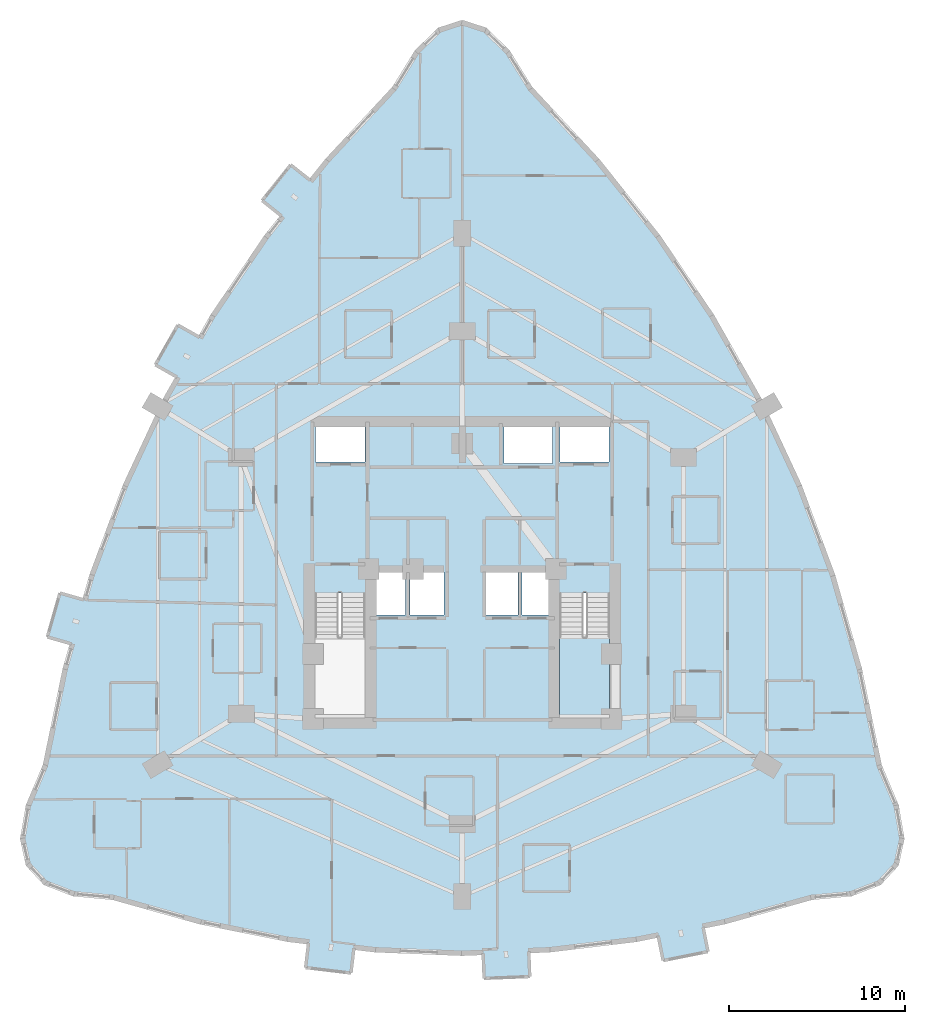
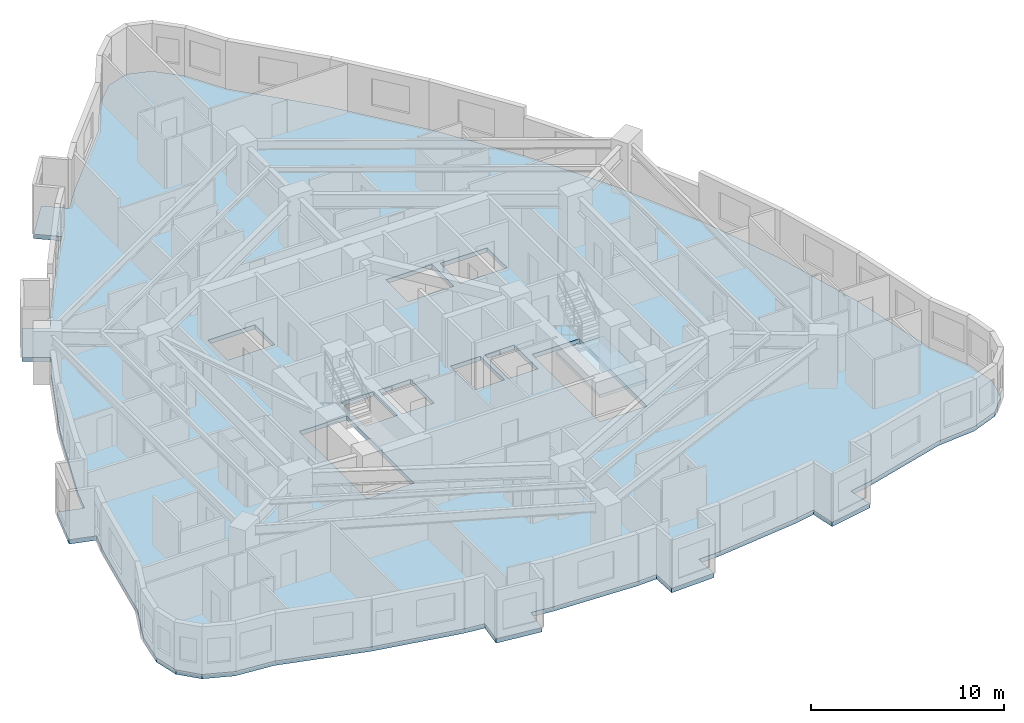
# One storey, part 5 of 15: 2 slabs, 1 element without a shape of its own.
"""IFC4 building model written with IfcOpenShell, lengths in metres."""

import ifcopenshell
import ifcopenshell.guid

model = None  # the IFC model being written
_history = None  # IfcOwnerHistory: only IFC2X3 demands one
_inside = {}  # id of a spatial element -> (the spatial element, [elements in it])
_under = {}  # id of a project, library or spatial element -> (it, [spatial elements below it])
_declared = {}  # id of a project -> (the project, [libraries it declares])
_typed = {}  # id of a type object -> (the type object, [elements of that type])
_made_of = {}  # id of a material, layer set ... -> (it, [elements and type objects made of it])


def new_model(schema):
    """Start an empty IFC model of exactly this schema.

    Asked for "IFC4X3", IfcOpenShell would pick the latest addendum, in which some entities
    have other attributes; the version numbers below select the first issue.
    IFC2X3 requires an IfcOwnerHistory on every rooted entity: one is made here for all.
    """
    global model, _history
    if schema == "IFC4X3":
        model = ifcopenshell.file(schema_version=(4, 3, 0, 0))
    else:
        model = ifcopenshell.file(schema=schema)
    _inside.clear()
    _under.clear()
    _declared.clear()
    _typed.clear()
    _made_of.clear()
    _history = None
    if model.schema == "IFC2X3":
        org = make("IfcOrganization", Name="unknown")
        user = make(
            "IfcPersonAndOrganization",
            ThePerson=make("IfcPerson", FamilyName="unknown"),
            TheOrganization=org,
        )
        app = make(
            "IfcApplication",
            ApplicationDeveloper=org,
            Version="unknown",
            ApplicationFullName="unknown",
            ApplicationIdentifier="unknown",
        )
        _history = make(
            "IfcOwnerHistory",
            OwningUser=user,
            OwningApplication=app,
            ChangeAction="ADDED",
            CreationDate=0,
        )
    return model


def make(cls, **values):
    """One entity of the class cls with the attributes given. An attribute that is None is left unset."""
    return model.create_entity(
        cls, **{name: value for name, value in values.items() if value is not None}
    )


def rooted(cls, **values):
    """An entity with a GlobalId (a new one), such as an element, a storey or a relation."""
    return make(cls, GlobalId=ifcopenshell.guid.new(), OwnerHistory=_history, **values)


def si_unit(unit_type, name, prefix=None):
    """IfcSIUnit, for example si_unit("LENGTHUNIT", "METRE", prefix="MILLI")."""
    return make("IfcSIUnit", UnitType=unit_type, Prefix=prefix, Name=name)


def assignment(units):
    """IfcUnitAssignment: the units of a project."""
    return None if units is None else make("IfcUnitAssignment", Units=units)


def point(xyz):
    """IfcCartesianPoint."""
    return None if xyz is None else make("IfcCartesianPoint", Coordinates=xyz)


def direction(xyz):
    """IfcDirection."""
    return None if xyz is None else make("IfcDirection", DirectionRatios=xyz)


def frame(location, z_axis=None, x_axis=None):
    """IfcAxis2Placement3D, a coordinate frame: its origin and axes. An axis left out is left unset."""
    return make(
        "IfcAxis2Placement3D",
        Location=point(location),
        Axis=direction(z_axis),
        RefDirection=direction(x_axis),
    )


def origin():
    """The frame at (0, 0, 0) with its axes left unset."""
    return frame((0.0, 0.0, 0.0))


def place(relative_to, where):
    """IfcLocalPlacement: puts the frame where relative to a parent placement (None: the world)."""
    return make(
        "IfcLocalPlacement", PlacementRelTo=relative_to, RelativePlacement=where
    )


def context(
    kind, dimensions, precision=None, world=None, true_north=None, identifier=None
):
    """IfcGeometricRepresentationContext, for example the 3D "Model" context."""
    return make(
        "IfcGeometricRepresentationContext",
        ContextIdentifier=identifier,
        ContextType=kind,
        CoordinateSpaceDimension=dimensions,
        Precision=precision,
        WorldCoordinateSystem=world,
        TrueNorth=true_north,
    )


def subcontext(parent, identifier, kind, view, scale=None):
    """IfcGeometricRepresentationSubContext, for example "Body" below "Model"."""
    return make(
        "IfcGeometricRepresentationSubContext",
        ContextIdentifier=identifier,
        ContextType=kind,
        ParentContext=parent,
        TargetScale=scale,
        TargetView=view,
    )


def project(units=None, contexts=None):
    """IfcProject with its units and contexts."""
    return rooted(
        "IfcProject",
        Name="project",
        RepresentationContexts=contexts,
        UnitsInContext=assignment(units),
    )


def spatial(cls, under=None, at=None, **own):
    """A site, building, storey or space (cls), placed at a placement, below another one or the project."""
    s = rooted(cls, ObjectPlacement=at, **own)
    if under is not None:
        _under.setdefault(under.id(), (under, []))[1].append(s)
    return s


def polyline(points):
    """IfcPolyline through the points."""
    return make("IfcPolyline", Points=[point(p) for p in points])


def outline(outer, holes=None, kind="AREA"):
    """IfcArbitraryClosedProfileDef: a profile drawn as a closed curve; with holes, ...WithVoids."""
    if holes is None:
        return make("IfcArbitraryClosedProfileDef", ProfileType=kind, OuterCurve=outer)
    return make(
        "IfcArbitraryProfileDefWithVoids",
        ProfileType=kind,
        OuterCurve=outer,
        InnerCurves=holes,
    )


def extrude(swept, where, along, depth):
    """IfcExtrudedAreaSolid: the profile swept, set in the frame where, extruded along a direction by depth."""
    return make(
        "IfcExtrudedAreaSolid",
        SweptArea=swept,
        Position=where,
        ExtrudedDirection=direction(along),
        Depth=depth,
    )


def shape(context_of_items, identifier, shape_type, items):
    """IfcShapeRepresentation: the items that make up one representation, for example the "Body"."""
    return make(
        "IfcShapeRepresentation",
        ContextOfItems=context_of_items,
        RepresentationIdentifier=identifier,
        RepresentationType=shape_type,
        Items=items,
    )


def material(Name=None, Category=None):
    """IfcMaterial."""
    return make("IfcMaterial", Name=Name, Category=Category)


def layer(
    of_material, thickness, ventilated=None, Name=None, Category=None, Priority=None
):
    """IfcMaterialLayer: one layer of a wall or slab, of a material (None: an air gap)."""
    return make(
        "IfcMaterialLayer",
        Material=of_material,
        LayerThickness=thickness,
        IsVentilated=ventilated,
        Name=Name,
        Category=Category,
        Priority=Priority,
    )


def layer_set(layers, Name=None):
    """IfcMaterialLayerSet."""
    return make("IfcMaterialLayerSet", MaterialLayers=layers, LayerSetName=Name)


def made_of(thing, what):
    """Note that an element or type object is made of a material, layer set ...; save() writes the relation."""
    if what is not None:
        _made_of.setdefault(what.id(), (what, []))[1].append(thing)
    return thing


def type_object(cls, material=None, **own):
    """A type object (cls), such as IfcWallType, which elements share."""
    return made_of(rooted(cls, **own), material)


def element(
    cls,
    number,
    at=None,
    inside=None,
    cuts=None,
    type_object=None,
    material=None,
    context=None,
    identifier="Body",
    shape_type=None,
    held_by="IfcProductDefinitionShape",
    body=None,
    shapes=None,
    **own,
):
    """One element of the class cls, such as IfcWall. Its Tag is "e" and its number.

    at: its placement. inside: the storey or other place that contains it. cuts: it is an
    opening in that element (IfcRelVoidsElement). A single representation is given by context,
    identifier, shape_type and body (its items); several are given by shapes. held_by: the class
    of the entity that holds the representations. save() writes the other relations.
    """
    e = rooted(cls, Tag="e%d" % number, ObjectPlacement=at, **own)
    if body is not None:
        shapes = [shape(context, identifier, shape_type, body)]
    if shapes is not None:
        e.Representation = make(held_by, Representations=shapes)
    if inside is not None:
        _inside.setdefault(inside.id(), (inside, []))[1].append(e)
    if cuts is not None:
        rooted(
            "IfcRelVoidsElement", RelatingBuildingElement=cuts, RelatedOpeningElement=e
        )
    if type_object is not None:
        _typed.setdefault(type_object.id(), (type_object, []))[1].append(e)
    return made_of(e, material)


def aggregate(whole, parts):
    """IfcRelAggregates: a whole, such as a stair, and the parts it consists of."""
    return rooted("IfcRelAggregates", RelatingObject=whole, RelatedObjects=parts)


def save(model, path):
    """Write the relations noted so far, then the file.

    IfcRelAggregates (storeys below a building ...), IfcRelContainedInSpatialStructure (elements
    in a storey), IfcRelDefinesByType, IfcRelAssociatesMaterial and IfcRelDeclares: one each for
    every whole, place, type object, material and project.
    """
    for whole, parts in _under.values():
        aggregate(whole, parts)
    for where, things in _inside.values():
        rooted(
            "IfcRelContainedInSpatialStructure",
            RelatedElements=things,
            RelatingStructure=where,
        )
    for kind, things in _typed.values():
        rooted("IfcRelDefinesByType", RelatedObjects=things, RelatingType=kind)
    for what, things in _made_of.values():
        rooted("IfcRelAssociatesMaterial", RelatedObjects=things, RelatingMaterial=what)
    for by, libraries in _declared.values():
        rooted("IfcRelDeclares", RelatingContext=by, RelatedDefinitions=libraries)
    model.write(path)


model = new_model("IFC4")

# Units and contexts
model_context = context("Model", 3, precision=1e-05, world=origin(), true_north=direction((0.0, 1.0)))
body_context = subcontext(model_context, "Body", "Model", "MODEL_VIEW")
ifc_project = project(units=[si_unit("LENGTHUNIT", "METRE"), si_unit("AREAUNIT", "SQUARE_METRE"), si_unit("VOLUMEUNIT", "CUBIC_METRE"), si_unit("PLANEANGLEUNIT", "RADIAN"), si_unit("MASSUNIT", "GRAM", prefix="KILO")], contexts=[model_context])

# Site, building, storey
site_placement = place(None, origin())
site = spatial("IfcSite", under=ifc_project, at=site_placement, CompositionType="ELEMENT")
building_placement = place(site_placement, origin())
building = spatial("IfcBuilding", under=site, at=building_placement, Name="Miruveldt Soraemaru", CompositionType="ELEMENT")
storey_placement = place(building_placement, frame((0.0, 0.0, 32.60009765625)))
storey = spatial("IfcBuildingStorey", under=building, at=storey_placement, Name="L08", CompositionType="ELEMENT", Elevation=32.60009765625)

# Stair, slab
ifc_material = material(Name="Concrete C40/50 (40 MPa)", Category="concrete")
stair_type = type_object("IfcStairType", Name="STAIR-DL-340", PredefinedType="HALF_TURN_STAIR", material=ifc_material)
stair_placement = place(storey_placement, origin())
stair = element("IfcStair", 1, at=stair_placement, inside=storey, type_object=stair_type, Name="L08 Protected Exit Stair ST-2", PredefinedType="HALF_TURN_STAIR")
ifc_layer_1 = layer(ifc_material, 0.199951171875, Name="Concrete C40/50 (40 MPa)", Category="concrete")
ifc_layer_set_1 = layer_set([ifc_layer_1], Name="Concrete C40/50 (40 MPa)")
slab_type_1 = type_object("IfcSlabType", Name="SLAB-LAND-200", PredefinedType="LANDING", material=ifc_layer_set_1)
slab_1_placement = place(storey_placement, frame((0.0, 0.0, 1.5)))
slab_1 = element("IfcSlab", 2, at=slab_1_placement, type_object=slab_type_1, Name="ST-2 landing 1", PredefinedType="LANDING", context=body_context, shape_type="SweptSolid", body=[
    extrude(outline(polyline([(49.550048828125, 40.197998046875), (49.550048828125, 35.64990234375), (52.39990234375, 35.64990234375), (52.39990234375, 40.197998046875), (49.550048828125, 40.197998046875)])), origin(), (0.0, 0.0, 1.0), 0.199951171875),
])
aggregate(stair, [slab_1])

# Slab
ifc_layer_2 = layer(ifc_material, 0.27490234375, Name="Concrete C40/50 (40 MPa)", Category="concrete")
ifc_layer_set_2 = layer_set([ifc_layer_2], Name="Concrete C40/50 (40 MPa)")
slab_type_2 = type_object("IfcSlabType", Name="SLAB-RES1-275", PredefinedType="FLOOR", material=ifc_layer_set_2)
slab_2_placement = place(storey_placement, frame((0.0, 0.0, -0.275146484375)))
element("IfcSlab", 3, at=slab_2_placement, inside=storey, type_object=slab_type_2, Name="L08 Structural Floor Slab", PredefinedType="FLOOR", context=body_context, shape_type="SweptSolid", body=[
    extrude(outline(polyline([(45.246337890625, 20.72412109375), (45.187255859375, 22.202880859375), (44.0, 22.155517578125), (39.027587890625, 22.354248046875), (37.832275390625, 22.497802734375), (37.656005859375, 21.0283203125), (35.07470703125, 21.337890625), (35.2509765625, 22.8076171875), (36.54150390625, 22.652587890625), (34.055419921875, 22.950927734375), (29.083251953125, 23.9453125), (24.111083984375, 25.337646484375), (21.85498046875, 25.546142578125), (20.24365234375, 26.17138671875), (19.27685546875, 27.213134765625), (18.95458984375, 28.672119140625), (19.27685546875, 30.547607421875), (20.24365234375, 32.83984375), (21.37939453125, 38.35888671875), (22.14013671875, 41.018798828125), (21.78271484375, 39.768798828125), (20.35986328125, 40.17578125), (21.07470703125, 42.67578125), (22.497802734375, 42.268798828125), (22.90087890625, 43.6787109375), (24.808349609375, 48.800048828125), (27.1015625, 53.722412109375), (28.441162109375, 56.083984375), (27.7998046875, 54.953125), (26.51220703125, 55.683349609375), (27.795166015625, 57.945068359375), (29.08251953125, 57.21484375), (29.780517578125, 58.44580078125), (32.845458984375, 62.97021484375), (34.57080078125, 65.133056640625), (33.760009765625, 64.11669921875), (32.60302734375, 65.039794921875), (34.224609375, 67.072265625), (35.381591796875, 66.149169921875), (36.296142578125, 67.2958984375), (40.1328125, 71.422607421875), (41.421875, 73.50634765625), (42.7109375, 74.7568359375), (44.0, 75.173583984375), (45.2890625, 74.7568359375), (46.578125, 73.50634765625), (47.8671875, 71.422607421875), (51.703857421875, 67.2958984375), (55.154541015625, 62.97021484375), (58.219482421875, 58.44580078125), (60.8984375, 53.722412109375), (63.191650390625, 48.800048828125), (65.09912109375, 43.6787109375), (66.62060546875, 38.35888671875), (67.75634765625, 32.83984375), (68.72314453125, 30.547607421875), (69.04541015625, 28.672119140625), (68.72314453125, 27.213134765625), (67.75634765625, 26.17138671875), (66.14501953125, 25.546142578125), (63.888916015625, 25.337646484375), (58.916748046875, 23.9453125), (56.4306640625, 23.4482421875), (57.705322265625, 23.703125), (57.99560546875, 22.251708984375), (55.446044921875, 21.741943359375), (55.156005859375, 23.193359375), (53.944580078125, 22.950927734375), (48.972412109375, 22.354248046875), (46.486083984375, 22.2548828125), (47.78515625, 22.306884765625), (47.84423828125, 20.827880859375), (45.246337890625, 20.72412109375)]), holes=[polyline([(35.614990234375, 35.6650390625), (38.43505859375, 35.6650390625), (38.43505859375, 42.68505859375), (35.614990234375, 42.68505859375), (35.614990234375, 35.6650390625)]), polyline([(49.56494140625, 35.6650390625), (52.385009765625, 35.6650390625), (52.385009765625, 42.68505859375), (49.56494140625, 42.68505859375), (49.56494140625, 35.6650390625)]), polyline([(40.764892578125, 41.4150390625), (40.764892578125, 43.885009765625), (38.81494140625, 43.885009765625), (38.81494140625, 41.4150390625), (40.764892578125, 41.4150390625)]), polyline([(42.965087890625, 41.4150390625), (42.965087890625, 43.885009765625), (41.034912109375, 43.885009765625), (41.034912109375, 41.4150390625), (42.965087890625, 41.4150390625)]), polyline([(47.1650390625, 41.4150390625), (47.1650390625, 43.885009765625), (45.364990234375, 43.885009765625), (45.364990234375, 41.4150390625), (47.1650390625, 41.4150390625)]), polyline([(49.18505859375, 41.4150390625), (49.18505859375, 43.885009765625), (47.39501953125, 43.885009765625), (47.39501953125, 41.4150390625), (49.18505859375, 41.4150390625)]), polyline([(38.445068359375, 50.135009765625), (38.445068359375, 52.205078125), (35.635009765625, 52.205078125), (35.635009765625, 50.135009765625), (38.445068359375, 50.135009765625)]), polyline([(49.554931640625, 50.135009765625), (52.364990234375, 50.135009765625), (52.364990234375, 52.205078125), (49.554931640625, 52.205078125), (49.554931640625, 50.135009765625)]), polyline([(46.364990234375, 50.06494140625), (49.135009765625, 50.06494140625), (49.135009765625, 52.3349609375), (46.364990234375, 52.3349609375), (46.364990234375, 50.06494140625)])]), origin(), (0.0, 0.0, 1.0), 0.275146484375),
])

save(model, "model.ifc")
